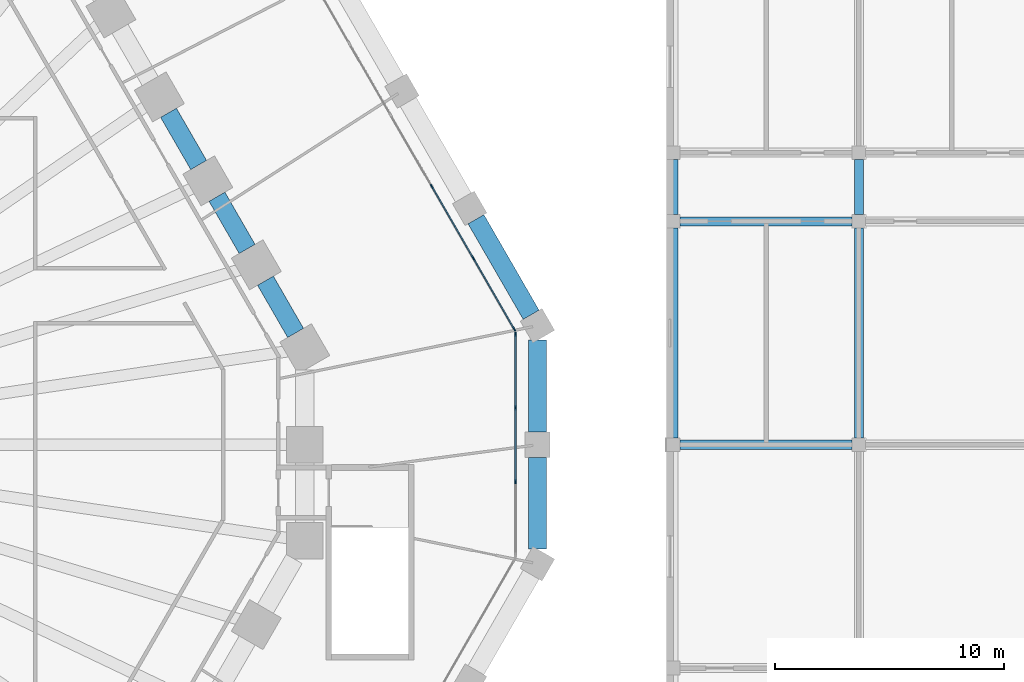
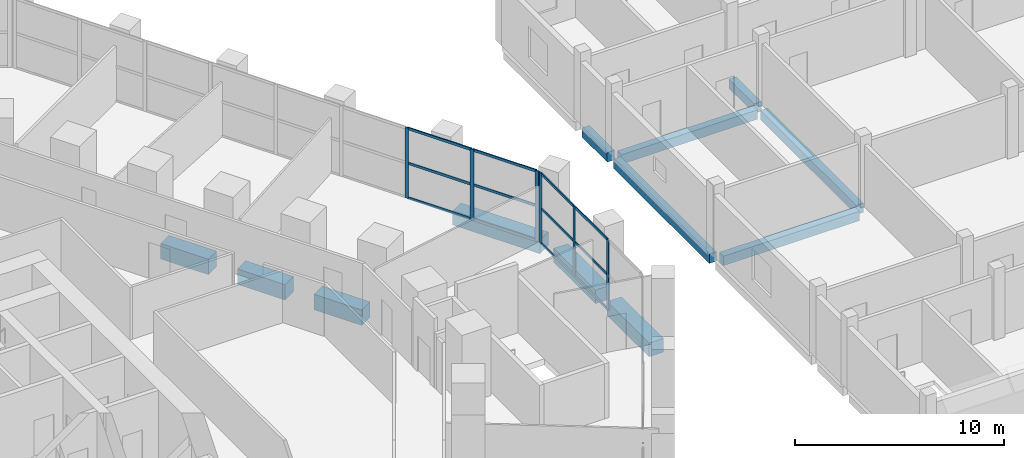
# One storey, part 11 of 38: 18 members, 12 beams, 2 elements without a shape of their own.
"""IFC4 building model written with IfcOpenShell, lengths in metres."""

import ifcopenshell
import ifcopenshell.guid

model = None  # the IFC model being written
_history = None  # IfcOwnerHistory: only IFC2X3 demands one
_inside = {}  # id of a spatial element -> (the spatial element, [elements in it])
_under = {}  # id of a project, library or spatial element -> (it, [spatial elements below it])
_declared = {}  # id of a project -> (the project, [libraries it declares])
_typed = {}  # id of a type object -> (the type object, [elements of that type])
_made_of = {}  # id of a material, layer set ... -> (it, [elements and type objects made of it])


def new_model(schema):
    """Start an empty IFC model of exactly this schema.

    Asked for "IFC4X3", IfcOpenShell would pick the latest addendum, in which some entities
    have other attributes; the version numbers below select the first issue.
    IFC2X3 requires an IfcOwnerHistory on every rooted entity: one is made here for all.
    """
    global model, _history
    if schema == "IFC4X3":
        model = ifcopenshell.file(schema_version=(4, 3, 0, 0))
    else:
        model = ifcopenshell.file(schema=schema)
    _inside.clear()
    _under.clear()
    _declared.clear()
    _typed.clear()
    _made_of.clear()
    _history = None
    if model.schema == "IFC2X3":
        org = make("IfcOrganization", Name="unknown")
        user = make(
            "IfcPersonAndOrganization",
            ThePerson=make("IfcPerson", FamilyName="unknown"),
            TheOrganization=org,
        )
        app = make(
            "IfcApplication",
            ApplicationDeveloper=org,
            Version="unknown",
            ApplicationFullName="unknown",
            ApplicationIdentifier="unknown",
        )
        _history = make(
            "IfcOwnerHistory",
            OwningUser=user,
            OwningApplication=app,
            ChangeAction="ADDED",
            CreationDate=0,
        )
    return model


def make(cls, **values):
    """One entity of the class cls with the attributes given. An attribute that is None is left unset."""
    return model.create_entity(
        cls, **{name: value for name, value in values.items() if value is not None}
    )


def rooted(cls, **values):
    """An entity with a GlobalId (a new one), such as an element, a storey or a relation."""
    return make(cls, GlobalId=ifcopenshell.guid.new(), OwnerHistory=_history, **values)


def si_unit(unit_type, name, prefix=None):
    """IfcSIUnit, for example si_unit("LENGTHUNIT", "METRE", prefix="MILLI")."""
    return make("IfcSIUnit", UnitType=unit_type, Prefix=prefix, Name=name)


def assignment(units):
    """IfcUnitAssignment: the units of a project."""
    return None if units is None else make("IfcUnitAssignment", Units=units)


def point(xyz):
    """IfcCartesianPoint."""
    return None if xyz is None else make("IfcCartesianPoint", Coordinates=xyz)


def direction(xyz):
    """IfcDirection."""
    return None if xyz is None else make("IfcDirection", DirectionRatios=xyz)


def frame(location, z_axis=None, x_axis=None):
    """IfcAxis2Placement3D, a coordinate frame: its origin and axes. An axis left out is left unset."""
    return make(
        "IfcAxis2Placement3D",
        Location=point(location),
        Axis=direction(z_axis),
        RefDirection=direction(x_axis),
    )


def frame_2d(location, x_axis=None):
    """IfcAxis2Placement2D, a coordinate frame in the plane: its origin and x axis."""
    return make(
        "IfcAxis2Placement2D", Location=point(location), RefDirection=direction(x_axis)
    )


def origin():
    """The frame at (0, 0, 0) with its axes left unset."""
    return frame((0.0, 0.0, 0.0))


def origin_2d():
    """The frame at (0, 0) in the plane with its x axis left unset."""
    return frame_2d((0.0, 0.0))


def place(relative_to, where):
    """IfcLocalPlacement: puts the frame where relative to a parent placement (None: the world)."""
    return make(
        "IfcLocalPlacement", PlacementRelTo=relative_to, RelativePlacement=where
    )


def context(
    kind, dimensions, precision=None, world=None, true_north=None, identifier=None
):
    """IfcGeometricRepresentationContext, for example the 3D "Model" context."""
    return make(
        "IfcGeometricRepresentationContext",
        ContextIdentifier=identifier,
        ContextType=kind,
        CoordinateSpaceDimension=dimensions,
        Precision=precision,
        WorldCoordinateSystem=world,
        TrueNorth=true_north,
    )


def subcontext(parent, identifier, kind, view, scale=None):
    """IfcGeometricRepresentationSubContext, for example "Body" below "Model"."""
    return make(
        "IfcGeometricRepresentationSubContext",
        ContextIdentifier=identifier,
        ContextType=kind,
        ParentContext=parent,
        TargetScale=scale,
        TargetView=view,
    )


def project(units=None, contexts=None):
    """IfcProject with its units and contexts."""
    return rooted(
        "IfcProject",
        Name="project",
        RepresentationContexts=contexts,
        UnitsInContext=assignment(units),
    )


def spatial(cls, under=None, at=None, **own):
    """A site, building, storey or space (cls), placed at a placement, below another one or the project."""
    s = rooted(cls, ObjectPlacement=at, **own)
    if under is not None:
        _under.setdefault(under.id(), (under, []))[1].append(s)
    return s


def profile(cls, at=None, kind="AREA", **sizes):
    """A parametric profile (cls). Its sizes go by their IFC names, for example OverallWidth=200.0."""
    return make(cls, ProfileType=kind, Position=at, **sizes)


def rectangle(**sizes):
    """IfcRectangleProfileDef."""
    return profile("IfcRectangleProfileDef", **sizes)


def extrude(swept, where, along, depth):
    """IfcExtrudedAreaSolid: the profile swept, set in the frame where, extruded along a direction by depth."""
    return make(
        "IfcExtrudedAreaSolid",
        SweptArea=swept,
        Position=where,
        ExtrudedDirection=direction(along),
        Depth=depth,
    )


def shape(context_of_items, identifier, shape_type, items):
    """IfcShapeRepresentation: the items that make up one representation, for example the "Body"."""
    return make(
        "IfcShapeRepresentation",
        ContextOfItems=context_of_items,
        RepresentationIdentifier=identifier,
        RepresentationType=shape_type,
        Items=items,
    )


def material(Name=None, Category=None):
    """IfcMaterial."""
    return make("IfcMaterial", Name=Name, Category=Category)


def material_profile(
    of_material, cross_section, Name=None, Category=None, Priority=None
):
    """IfcMaterialProfile: a cross section and its material."""
    return make(
        "IfcMaterialProfile",
        Name=Name,
        Material=of_material,
        Profile=cross_section,
        Priority=Priority,
        Category=Category,
    )


def profile_set(profiles, Name=None, composite=None):
    """IfcMaterialProfileSet."""
    return make(
        "IfcMaterialProfileSet",
        Name=Name,
        MaterialProfiles=profiles,
        CompositeProfile=composite,
    )


def made_of(thing, what):
    """Note that an element or type object is made of a material, layer set ...; save() writes the relation."""
    if what is not None:
        _made_of.setdefault(what.id(), (what, []))[1].append(thing)
    return thing


def type_object(cls, material=None, **own):
    """A type object (cls), such as IfcWallType, which elements share."""
    return made_of(rooted(cls, **own), material)


def element(
    cls,
    number,
    at=None,
    inside=None,
    cuts=None,
    type_object=None,
    material=None,
    context=None,
    identifier="Body",
    shape_type=None,
    held_by="IfcProductDefinitionShape",
    body=None,
    shapes=None,
    **own,
):
    """One element of the class cls, such as IfcWall. Its Tag is "e" and its number.

    at: its placement. inside: the storey or other place that contains it. cuts: it is an
    opening in that element (IfcRelVoidsElement). A single representation is given by context,
    identifier, shape_type and body (its items); several are given by shapes. held_by: the class
    of the entity that holds the representations. save() writes the other relations.
    """
    e = rooted(cls, Tag="e%d" % number, ObjectPlacement=at, **own)
    if body is not None:
        shapes = [shape(context, identifier, shape_type, body)]
    if shapes is not None:
        e.Representation = make(held_by, Representations=shapes)
    if inside is not None:
        _inside.setdefault(inside.id(), (inside, []))[1].append(e)
    if cuts is not None:
        rooted(
            "IfcRelVoidsElement", RelatingBuildingElement=cuts, RelatedOpeningElement=e
        )
    if type_object is not None:
        _typed.setdefault(type_object.id(), (type_object, []))[1].append(e)
    return made_of(e, material)


def aggregate(whole, parts):
    """IfcRelAggregates: a whole, such as a stair, and the parts it consists of."""
    return rooted("IfcRelAggregates", RelatingObject=whole, RelatedObjects=parts)


def save(model, path):
    """Write the relations noted so far, then the file.

    IfcRelAggregates (storeys below a building ...), IfcRelContainedInSpatialStructure (elements
    in a storey), IfcRelDefinesByType, IfcRelAssociatesMaterial and IfcRelDeclares: one each for
    every whole, place, type object, material and project.
    """
    for whole, parts in _under.values():
        aggregate(whole, parts)
    for where, things in _inside.values():
        rooted(
            "IfcRelContainedInSpatialStructure",
            RelatedElements=things,
            RelatingStructure=where,
        )
    for kind, things in _typed.values():
        rooted("IfcRelDefinesByType", RelatedObjects=things, RelatingType=kind)
    for what, things in _made_of.values():
        rooted("IfcRelAssociatesMaterial", RelatedObjects=things, RelatingMaterial=what)
    for by, libraries in _declared.values():
        rooted("IfcRelDeclares", RelatingContext=by, RelatedDefinitions=libraries)
    model.write(path)


model = new_model("IFC4")

# Units and contexts
model_context = context("Model", 3, precision=1e-05, world=origin(), true_north=direction((0.0, 1.0)))
body_context = subcontext(model_context, "Body", "Model", "MODEL_VIEW")
ifc_project = project(units=[si_unit("LENGTHUNIT", "METRE"), si_unit("AREAUNIT", "SQUARE_METRE"), si_unit("VOLUMEUNIT", "CUBIC_METRE"), si_unit("PLANEANGLEUNIT", "RADIAN"), si_unit("MASSUNIT", "GRAM", prefix="KILO")], contexts=[model_context])

# Site, building, storey
site_placement = place(None, origin())
site = spatial("IfcSite", under=ifc_project, at=site_placement, CompositionType="ELEMENT")
building_placement = place(site_placement, origin())
building = spatial("IfcBuilding", under=site, at=building_placement, Name="Frailejon Research Tower", CompositionType="ELEMENT")
storey_placement = place(building_placement, frame((0.0, 0.0, 10.199951171875)))
storey = spatial("IfcBuildingStorey", under=building, at=storey_placement, Name="L02", CompositionType="ELEMENT", Elevation=10.199951171875)

# Beams
ifc_material_1 = material(Name="Concrete C60/75", Category="concrete")
ifc_material_profile_1 = material_profile(ifc_material_1, rectangle(XDim=0.800048828125, YDim=0.800048828125, at=origin_2d()), Name="Base ring beam")
ifc_profile_set_1 = profile_set([ifc_material_profile_1], Name="Concrete C60/75")
beam_type_1 = type_object("IfcBeamType", Name="Base ring beam", PredefinedType="BEAM", material=ifc_profile_set_1)
for number, where, z_axis, x_axis, name in (
    (1, (38.569091796875, -4.56103515625, -0.75), (0.0, 1.0, 0.0), (-1.0, 0.0, 0.0), "Base ring beam"),
    (2, (38.569091796875, 0.550048828125, -0.75), (0.0, 1.0, 0.0), (-1.0, 0.0, 0.0), "Base ring beam"),
):
    element("IfcBeam", number, at=place(storey_placement, frame(where, z_axis=z_axis, x_axis=x_axis)), inside=storey, type_object=beam_type_1, Name=name, PredefinedType="BEAM", context=body_context, shape_type="SweptSolid", body=[
        extrude(rectangle(XDim=0.800048828125, YDim=0.800048828125, at=origin_2d()), origin(), (0.0, 0.0, 1.0), 4.010986328125),
    ])
beam_1_placement = place(storey_placement, frame((38.294189453125, 5.672607421875, -0.75), z_axis=(-0.500028306193, 0.866009060579, 0.0), x_axis=(-0.866009060579, -0.500028306193, 0.0)))
element("IfcBeam", 3, at=beam_1_placement, inside=storey, type_object=beam_type_1, Name="Base ring beam", PredefinedType="BEAM", context=body_context, shape_type="SweptSolid", body=[
    extrude(rectangle(XDim=0.800048828125, YDim=0.800048828125, at=origin_2d()), origin(), (0.0, 0.0, 1.0), 4.813720703125),
])
ifc_material_2 = material(Name="Concrete C35/45", Category="concrete")
ifc_material_profile_2 = material_profile(ifc_material_2, rectangle(XDim=0.39990234375, YDim=0.550048828125, at=origin_2d()), Name="HC floor beam 400x550")
ifc_profile_set_2 = profile_set([ifc_material_profile_2], Name="Concrete C35/45")
beam_type_2 = type_object("IfcBeamType", Name="HC floor beam 400x550", PredefinedType="BEAM", material=ifc_profile_set_2)
for number, where, z_axis, x_axis, name in (
    (4, (44.800048828125, 0.0, -0.52490234375), (1.0, 0.0, 0.0), (0.0, 1.0, 0.0), "HC floor beam"),
    (5, (44.800048828125, 9.75, -0.52490234375), (1.0, 0.0, 0.0), (0.0, 1.0, 0.0), "HC floor beam"),
):
    element("IfcBeam", number, at=place(storey_placement, frame(where, z_axis=z_axis, x_axis=x_axis)), inside=storey, type_object=beam_type_2, Name=name, PredefinedType="BEAM", context=body_context, shape_type="SweptSolid", body=[
        extrude(rectangle(XDim=0.39990234375, YDim=0.550048828125, at=origin_2d()), origin(), (0.0, 0.0, 1.0), 7.5),
    ])
beam_2_placement = place(storey_placement, frame((44.5, 0.300048828125, -0.52490234375), z_axis=(0.0, 1.0, 0.0), x_axis=(-1.0, 0.0, 0.0)))
element("IfcBeam", 6, at=beam_2_placement, inside=storey, type_object=beam_type_2, Name="HC floor beam", PredefinedType="BEAM", context=body_context, shape_type="SweptSolid", body=[
    extrude(rectangle(XDim=0.39990234375, YDim=0.550048828125, at=origin_2d()), origin(), (0.0, 0.0, 1.0), 9.14990234375),
])
beam_3_placement = place(storey_placement, frame((44.5, 10.050048828125, -0.52490234375), z_axis=(0.0, 1.0, 0.0), x_axis=(-1.0, 0.0, 0.0)))
element("IfcBeam", 7, at=beam_3_placement, inside=storey, type_object=beam_type_2, Name="HC floor beam", PredefinedType="BEAM", context=body_context, shape_type="SweptSolid", body=[
    extrude(rectangle(XDim=0.39990234375, YDim=0.550048828125, at=origin_2d()), origin(), (0.0, 0.0, 1.0), 2.39990234375),
])
beam_4_placement = place(storey_placement, frame((52.60009765625, 0.300048828125, -0.52490234375), z_axis=(0.0, 1.0, 0.0), x_axis=(-1.0, 0.0, 0.0)))
element("IfcBeam", 8, at=beam_4_placement, inside=storey, type_object=beam_type_2, Name="HC floor beam", PredefinedType="BEAM", context=body_context, shape_type="SweptSolid", body=[
    extrude(rectangle(XDim=0.39990234375, YDim=0.550048828125, at=origin_2d()), origin(), (0.0, 0.0, 1.0), 9.14990234375),
])
beam_5_placement = place(storey_placement, frame((52.60009765625, 10.050048828125, -0.52490234375), z_axis=(0.0, 1.0, 0.0), x_axis=(-1.0, 0.0, 0.0)))
element("IfcBeam", 9, at=beam_5_placement, inside=storey, type_object=beam_type_2, Name="HC floor beam", PredefinedType="BEAM", context=body_context, shape_type="SweptSolid", body=[
    extrude(rectangle(XDim=0.39990234375, YDim=0.550048828125, at=origin_2d()), origin(), (0.0, 0.0, 1.0), 2.39990234375),
])
ifc_material_3 = material(Name="Concrete C60/75", Category="concrete")
ifc_material_profile_3 = material_profile(ifc_material_3, rectangle(XDim=0.800048828125, YDim=0.89990234375, at=origin_2d()), Name="Podium ring beam")
ifc_profile_set_3 = profile_set([ifc_material_profile_3], Name="Concrete C60/75")
beam_type_3 = type_object("IfcBeamType", Name="Podium ring beam", PredefinedType="BEAM", material=ifc_profile_set_3)
for number, where, z_axis, x_axis, name in (
    (10, (28.0126953125, 4.88037109375, -0.800048828125), (-0.499990112884, 0.866031112038, 0.0), (-0.866031112038, -0.499990112884, 0.0), "Podium ring beam"),
    (11, (25.896728515625, 8.54541015625, -0.800048828125), (-0.499990112884, 0.866031112038, 0.0), (-0.866031112038, -0.499990112884, 0.0), "Podium ring beam"),
):
    element("IfcBeam", number, at=place(storey_placement, frame(where, z_axis=z_axis, x_axis=x_axis)), inside=storey, type_object=beam_type_3, Name=name, PredefinedType="BEAM", context=body_context, shape_type="SweptSolid", body=[
        extrude(rectangle(XDim=0.800048828125, YDim=0.89990234375, at=origin_2d()), origin(), (0.0, 0.0, 1.0), 2.6318359375),
    ])
beam_6_placement = place(storey_placement, frame((23.781005859375, 12.210205078125, -0.800048828125), z_axis=(-0.500019514865, 0.866014136579, 0.0), x_axis=(-0.866014136579, -0.500019514865, 0.0)))
element("IfcBeam", 12, at=beam_6_placement, inside=storey, type_object=beam_type_3, Name="Podium ring beam", PredefinedType="BEAM", context=body_context, shape_type="SweptSolid", body=[
    extrude(rectangle(XDim=0.800048828125, YDim=0.89990234375, at=origin_2d()), origin(), (0.0, 0.0, 1.0), 2.63232421875),
])

# Curtain wall, members
ifc_material_4 = material(Name="Aluminium curtain wall", Category="aluminium")
curtain_wall_type = type_object("IfcCurtainWallType", Name="Podium stick curtain wall system", PredefinedType="NOTDEFINED", material=ifc_material_4)
curtain_wall_1_placement = place(storey_placement, origin())
curtain_wall_1 = element("IfcCurtainWall", 13, at=curtain_wall_1_placement, inside=storey, type_object=curtain_wall_type, Name="Curtain wall L02", PredefinedType="NOTDEFINED")
ifc_material_5 = material(Name="Aluminium extrusion", Category="aluminium")
ifc_material_profile_4 = material_profile(ifc_material_5, rectangle(XDim=0.06005859375, YDim=0.199951171875, at=origin_2d()), Name="Podium stick curtain wall mullion 60x200")
ifc_profile_set_4 = profile_set([ifc_material_profile_4], Name="Aluminium extrusion")
member_type_1 = type_object("IfcMemberType", Name="Podium stick curtain wall mullion 60x200", PredefinedType="MULLION", material=ifc_profile_set_4)
member_1_placement = place(storey_placement, frame((37.619140625, -1.61376953125, 0.0), z_axis=(0.0, 0.0, 1.0), x_axis=(-1.0, 0.0, 0.0)))
member_1 = element("IfcMember", 14, at=member_1_placement, type_object=member_type_1, Name="CW2-033 mullion 2", PredefinedType="MULLION", context=body_context, shape_type="SweptSolid", body=[
    extrude(rectangle(XDim=0.06005859375, YDim=0.199951171875, at=origin_2d()), origin(), (0.0, 0.0, 1.0), 4.10009765625),
])
member_2_placement = place(storey_placement, frame((37.619140625, 1.61376953125, 0.0), z_axis=(0.0, 0.0, 1.0), x_axis=(-1.0, 0.0, 0.0)))
member_2 = element("IfcMember", 15, at=member_2_placement, type_object=member_type_1, Name="CW2-033 mullion 3", PredefinedType="MULLION", context=body_context, shape_type="SweptSolid", body=[
    extrude(rectangle(XDim=0.06005859375, YDim=0.199951171875, at=origin_2d()), origin(), (0.0, 0.0, 1.0), 4.10009765625),
])
member_3_placement = place(storey_placement, frame((37.619140625, 4.8115234375, 0.0), z_axis=(0.0, 0.0, 1.0), x_axis=(-1.0, 0.0, 0.0)))
member_3 = element("IfcMember", 16, at=member_3_placement, type_object=member_type_1, Name="CW2-033 mullion 4", PredefinedType="MULLION", context=body_context, shape_type="SweptSolid", body=[
    extrude(rectangle(XDim=0.06005859375, YDim=0.199951171875, at=origin_2d()), origin(), (0.0, 0.0, 1.0), 4.10009765625),
])

curtain_wall_2_placement = place(storey_placement, origin())
curtain_wall_2 = element("IfcCurtainWall", 17, at=curtain_wall_2_placement, inside=storey, type_object=curtain_wall_type, Name="Curtain wall L02", PredefinedType="NOTDEFINED")
member_4_placement = place(storey_placement, frame((37.55419921875, 5.05419921875, 0.0), z_axis=(0.0, 0.0, 1.0), x_axis=(-0.86602632934, -0.499998396888, 0.0)))
member_4 = element("IfcMember", 18, at=member_4_placement, type_object=member_type_1, Name="CW2-034 mullion 1", PredefinedType="MULLION", context=body_context, shape_type="SweptSolid", body=[
    extrude(rectangle(XDim=0.06005859375, YDim=0.199951171875, at=origin_2d()), origin(), (0.0, 0.0, 1.0), 4.10009765625),
])
member_5_placement = place(storey_placement, frame((35.765380859375, 8.15234375, 0.0), z_axis=(0.0, 0.0, 1.0), x_axis=(-0.86602632934, -0.499998396888, 0.0)))
member_5 = element("IfcMember", 19, at=member_5_placement, type_object=member_type_1, Name="CW2-034 mullion 2", PredefinedType="MULLION", context=body_context, shape_type="SweptSolid", body=[
    extrude(rectangle(XDim=0.06005859375, YDim=0.199951171875, at=origin_2d()), origin(), (0.0, 0.0, 1.0), 4.10009765625),
])
member_6_placement = place(storey_placement, frame((33.961669921875, 11.276611328125, 0.0), z_axis=(0.0, 0.0, 1.0), x_axis=(-0.86602632934, -0.499998396888, 0.0)))
member_6 = element("IfcMember", 20, at=member_6_placement, type_object=member_type_1, Name="CW2-034 mullion 3", PredefinedType="MULLION", context=body_context, shape_type="SweptSolid", body=[
    extrude(rectangle(XDim=0.06005859375, YDim=0.199951171875, at=origin_2d()), origin(), (0.0, 0.0, 1.0), 4.10009765625),
])

# Member
ifc_material_6 = material(Name="Aluminium extrusion", Category="aluminium")
ifc_material_profile_5 = material_profile(ifc_material_6, rectangle(XDim=0.06005859375, YDim=0.14990234375, at=origin_2d()), Name="Podium stick curtain wall transom 60x150")
ifc_profile_set_5 = profile_set([ifc_material_profile_5], Name="Aluminium extrusion")
member_type_2 = type_object("IfcMemberType", Name="Podium stick curtain wall transom 60x150", PredefinedType="USERDEFINED", material=ifc_profile_set_5)
member_7_placement = place(storey_placement, frame((37.619140625, -1.583984375, 0.030029296875), z_axis=(0.0, 1.0, 0.0), x_axis=(-1.0, 0.0, 0.0)))
member_7 = element("IfcMember", 21, at=member_7_placement, type_object=member_type_2, Name="CW2-033 transom 2.1", ObjectType="TRANSOM", PredefinedType="USERDEFINED", context=body_context, shape_type="SweptSolid", body=[
    extrude(rectangle(XDim=0.06005859375, YDim=0.14990234375, at=origin_2d()), origin(), (0.0, 0.0, 1.0), 3.16796875),
])

member_8_placement = place(storey_placement, frame((37.619140625, -1.583984375, 2.050048828125), z_axis=(0.0, 1.0, 0.0), x_axis=(-1.0, 0.0, 0.0)))
member_8 = element("IfcMember", 22, at=member_8_placement, type_object=member_type_2, Name="CW2-033 transom 2.2", ObjectType="TRANSOM", PredefinedType="USERDEFINED", context=body_context, shape_type="SweptSolid", body=[
    extrude(rectangle(XDim=0.06005859375, YDim=0.14990234375, at=origin_2d()), origin(), (0.0, 0.0, 1.0), 3.16796875),
])

member_9_placement = place(storey_placement, frame((37.619140625, -1.583984375, 4.070068359375), z_axis=(0.0, 1.0, 0.0), x_axis=(-1.0, 0.0, 0.0)))
member_9 = element("IfcMember", 23, at=member_9_placement, type_object=member_type_2, Name="CW2-033 transom 2.3", ObjectType="TRANSOM", PredefinedType="USERDEFINED", context=body_context, shape_type="SweptSolid", body=[
    extrude(rectangle(XDim=0.06005859375, YDim=0.14990234375, at=origin_2d()), origin(), (0.0, 0.0, 1.0), 3.16796875),
])

member_10_placement = place(storey_placement, frame((37.619140625, 1.643798828125, 0.030029296875), z_axis=(0.0, 1.0, 0.0), x_axis=(-1.0, 0.0, 0.0)))
member_10 = element("IfcMember", 24, at=member_10_placement, type_object=member_type_2, Name="CW2-033 transom 3.1", ObjectType="TRANSOM", PredefinedType="USERDEFINED", context=body_context, shape_type="SweptSolid", body=[
    extrude(rectangle(XDim=0.06005859375, YDim=0.14990234375, at=origin_2d()), origin(), (0.0, 0.0, 1.0), 3.1376953125),
])

member_11_placement = place(storey_placement, frame((37.619140625, 1.643798828125, 2.050048828125), z_axis=(0.0, 1.0, 0.0), x_axis=(-1.0, 0.0, 0.0)))
member_11 = element("IfcMember", 25, at=member_11_placement, type_object=member_type_2, Name="CW2-033 transom 3.2", ObjectType="TRANSOM", PredefinedType="USERDEFINED", context=body_context, shape_type="SweptSolid", body=[
    extrude(rectangle(XDim=0.06005859375, YDim=0.14990234375, at=origin_2d()), origin(), (0.0, 0.0, 1.0), 3.1376953125),
])

member_12_placement = place(storey_placement, frame((37.619140625, 1.643798828125, 4.070068359375), z_axis=(0.0, 1.0, 0.0), x_axis=(-1.0, 0.0, 0.0)))
member_12 = element("IfcMember", 26, at=member_12_placement, type_object=member_type_2, Name="CW2-033 transom 3.3", ObjectType="TRANSOM", PredefinedType="USERDEFINED", context=body_context, shape_type="SweptSolid", body=[
    extrude(rectangle(XDim=0.06005859375, YDim=0.14990234375, at=origin_2d()), origin(), (0.0, 0.0, 1.0), 3.1376953125),
])

aggregate(curtain_wall_1, [member_1, member_2, member_3, member_7, member_8, member_9, member_10, member_11, member_12])

member_13_placement = place(storey_placement, frame((37.539306640625, 5.080078125, 0.030029296875), z_axis=(-0.499990804263, 0.866030712881, 0.0), x_axis=(-0.866030712881, -0.499990804263, 0.0)))
member_13 = element("IfcMember", 27, at=member_13_placement, type_object=member_type_2, Name="CW2-034 transom 1.1", ObjectType="TRANSOM", PredefinedType="USERDEFINED", context=body_context, shape_type="SweptSolid", body=[
    extrude(rectangle(XDim=0.06005859375, YDim=0.14990234375, at=origin_2d()), origin(), (0.0, 0.0, 1.0), 3.517578125),
])

member_14_placement = place(storey_placement, frame((37.539306640625, 5.080078125, 2.050048828125), z_axis=(-0.499990804263, 0.866030712881, 0.0), x_axis=(-0.866030712881, -0.499990804263, 0.0)))
member_14 = element("IfcMember", 28, at=member_14_placement, type_object=member_type_2, Name="CW2-034 transom 1.2", ObjectType="TRANSOM", PredefinedType="USERDEFINED", context=body_context, shape_type="SweptSolid", body=[
    extrude(rectangle(XDim=0.06005859375, YDim=0.14990234375, at=origin_2d()), origin(), (0.0, 0.0, 1.0), 3.517578125),
])

member_15_placement = place(storey_placement, frame((37.539306640625, 5.080078125, 4.070068359375), z_axis=(-0.499990804263, 0.866030712881, 0.0), x_axis=(-0.866030712881, -0.499990804263, 0.0)))
member_15 = element("IfcMember", 29, at=member_15_placement, type_object=member_type_2, Name="CW2-034 transom 1.3", ObjectType="TRANSOM", PredefinedType="USERDEFINED", context=body_context, shape_type="SweptSolid", body=[
    extrude(rectangle(XDim=0.06005859375, YDim=0.14990234375, at=origin_2d()), origin(), (0.0, 0.0, 1.0), 3.517578125),
])

member_16_placement = place(storey_placement, frame((35.75048828125, 8.178466796875, 0.030029296875), z_axis=(-0.499980603476, 0.866036602083, 0.0), x_axis=(-0.866036602083, -0.499980603476, 0.0)))
member_16 = element("IfcMember", 30, at=member_16_placement, type_object=member_type_2, Name="CW2-034 transom 2.1", ObjectType="TRANSOM", PredefinedType="USERDEFINED", context=body_context, shape_type="SweptSolid", body=[
    extrude(rectangle(XDim=0.06005859375, YDim=0.14990234375, at=origin_2d()), origin(), (0.0, 0.0, 1.0), 3.547607421875),
])

member_17_placement = place(storey_placement, frame((35.75048828125, 8.178466796875, 2.050048828125), z_axis=(-0.499980603476, 0.866036602083, 0.0), x_axis=(-0.866036602083, -0.499980603476, 0.0)))
member_17 = element("IfcMember", 31, at=member_17_placement, type_object=member_type_2, Name="CW2-034 transom 2.2", ObjectType="TRANSOM", PredefinedType="USERDEFINED", context=body_context, shape_type="SweptSolid", body=[
    extrude(rectangle(XDim=0.06005859375, YDim=0.14990234375, at=origin_2d()), origin(), (0.0, 0.0, 1.0), 3.547607421875),
])

member_18_placement = place(storey_placement, frame((35.75048828125, 8.178466796875, 4.070068359375), z_axis=(-0.499980603476, 0.866036602083, 0.0), x_axis=(-0.866036602083, -0.499980603476, 0.0)))
member_18 = element("IfcMember", 32, at=member_18_placement, type_object=member_type_2, Name="CW2-034 transom 2.3", ObjectType="TRANSOM", PredefinedType="USERDEFINED", context=body_context, shape_type="SweptSolid", body=[
    extrude(rectangle(XDim=0.06005859375, YDim=0.14990234375, at=origin_2d()), origin(), (0.0, 0.0, 1.0), 3.547607421875),
])

aggregate(curtain_wall_2, [member_4, member_5, member_6, member_13, member_14, member_15, member_16, member_17, member_18])

save(model, "model.ifc")
